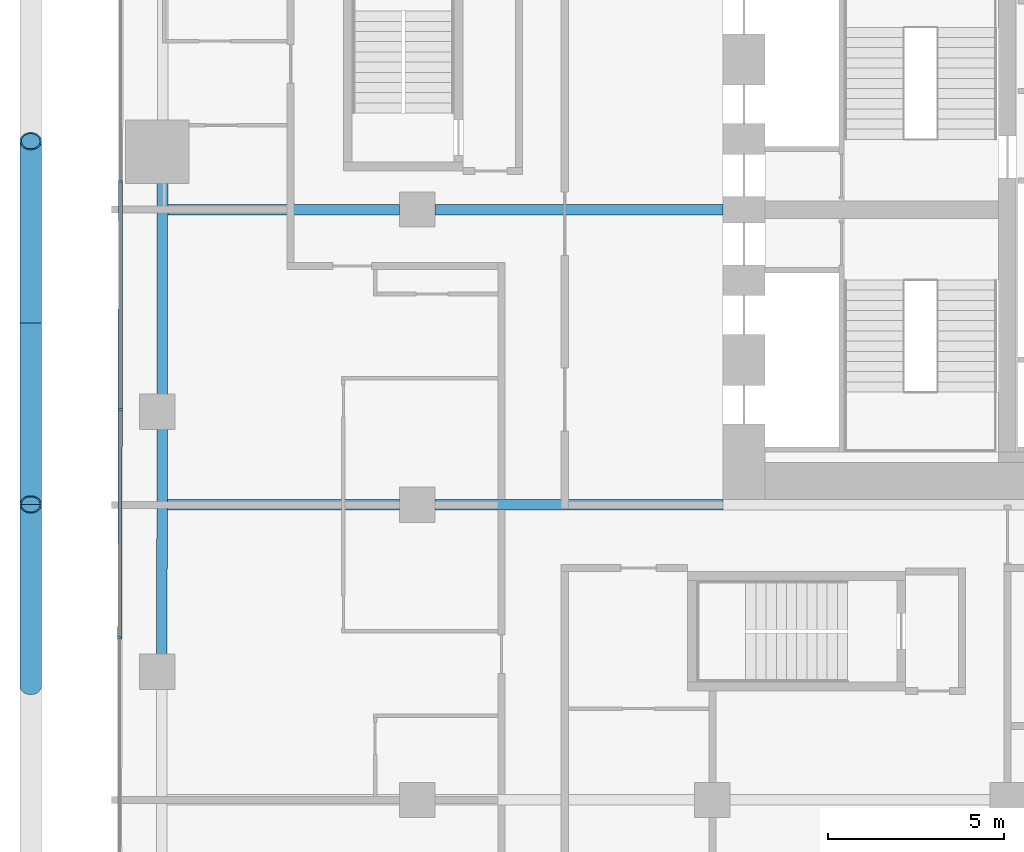
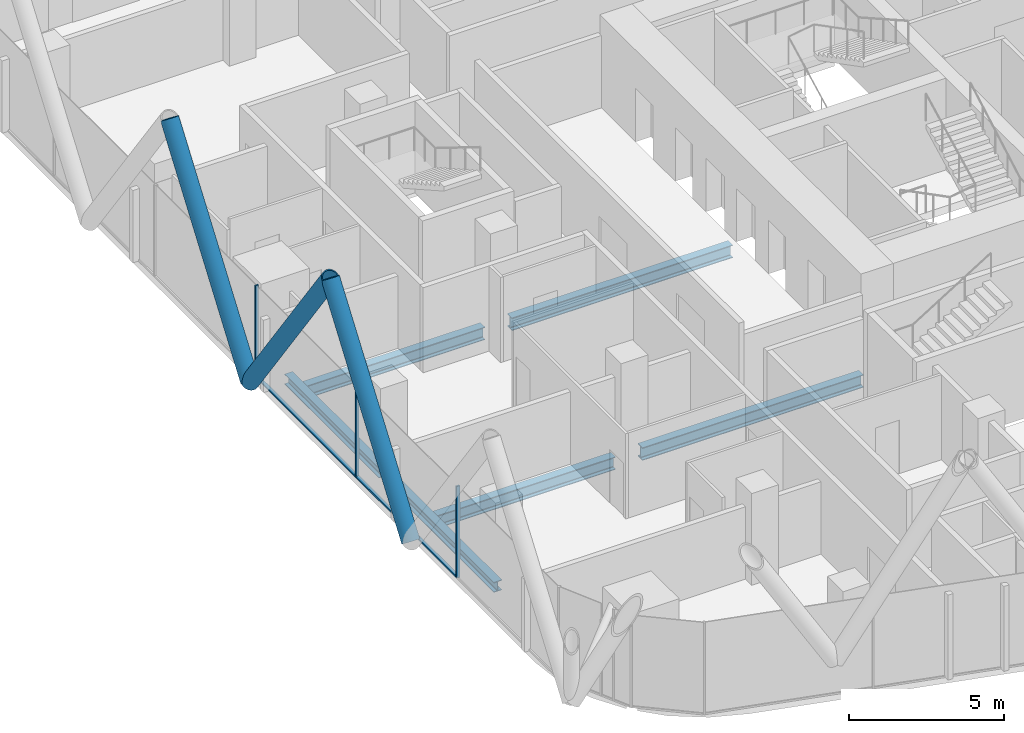
# One storey, part 4 of 34: 8 members, 6 beams, 1 element without a shape of its own.
"""IFC4 building model written with IfcOpenShell, lengths in metres."""

from ifc_helpers import new_model, si_unit, direction, frame, origin, origin_2d, place, context, subcontext, project, spatial, rectangle, hollow_circle, i_section, extrude, material, layer, layer_set, material_profile, profile_set, type_object, element, aggregate, save


model = new_model("IFC4")

# Units and contexts
model_context = context("Model", 3, precision=1e-05, world=origin(), true_north=direction((0.0, 1.0)))
body_context = subcontext(model_context, "Body", "Model", "MODEL_VIEW")
ifc_project = project(units=[si_unit("LENGTHUNIT", "METRE"), si_unit("AREAUNIT", "SQUARE_METRE"), si_unit("VOLUMEUNIT", "CUBIC_METRE"), si_unit("PLANEANGLEUNIT", "RADIAN"), si_unit("MASSUNIT", "GRAM", prefix="KILO")], contexts=[model_context])

# Site, building, storey
site_placement = place(None, origin())
site = spatial("IfcSite", under=ifc_project, at=site_placement, CompositionType="ELEMENT")
building_placement = place(site_placement, origin())
building = spatial("IfcBuilding", under=site, at=building_placement, Name="Marenta Gate Hotel Tower", CompositionType="ELEMENT")
storey_placement = place(building_placement, frame((0.0, 0.0, 47.300048828125)))
storey = spatial("IfcBuildingStorey", under=building, at=storey_placement, Name="L09", CompositionType="ELEMENT", Elevation=47.300048828125)

# Members
ifc_material_1 = material(Name="Steel S355J2W", Category="steel")
ifc_material_profile_1 = material_profile(ifc_material_1, hollow_circle(Radius=0.304931640625, WallThickness=0.0400390625, at=origin_2d()), Name="CHS 610x40")
ifc_profile_set_1 = profile_set([ifc_material_profile_1], Name="Steel S355J2W")
member_type_1 = type_object("IfcMemberType", Name="Diagrid diagonal Z1 CHS 610x40", PredefinedType="BRACE", material=ifc_profile_set_1)
member_1_placement = place(storey_placement, frame((-32.0, -5.16015625, 3.139892578125), z_axis=(0.0, 0.583279014058, 0.812271870595), x_axis=(-1.0, 0.0, 0.0)))
element("IfcMember", 1, at=member_1_placement, inside=storey, type_object=member_type_1, Name="L09-DG-27", PredefinedType="BRACE", context=body_context, shape_type="SweptSolid", body=[
    extrude(hollow_circle(Radius=0.304931640625, WallThickness=0.0400390625, at=origin_2d()), origin(), (0.0, 0.0, 1.0), 8.864013671875),
])
for number, where, z_axis, x_axis, name in (
    (2, (-32.0, 5.179931640625, 3.139892578125), (0.0, -0.583260841117, 0.812284919975), (1.0, 0.0, 0.0), "L09-DG-28"),
    (3, (-32.0, 5.179931640625, 3.139892578125), (0.0, 0.583260841117, 0.812284919975), (-1.0, 0.0, 0.0), "L09-DG-29"),
):
    element("IfcMember", number, at=place(storey_placement, frame(where, z_axis=z_axis, x_axis=x_axis)), inside=storey, type_object=member_type_1, Name=name, PredefinedType="BRACE", context=body_context, shape_type="SweptSolid", body=[
        extrude(hollow_circle(Radius=0.304931640625, WallThickness=0.0400390625, at=origin_2d()), origin(), (0.0, 0.0, 1.0), 8.86376953125),
    ])

# Beams
ifc_material_2 = material(Name="Steel S355", Category="steel")
ifc_material_profile_2 = material_profile(ifc_material_2, i_section(OverallWidth=0.300048828125, OverallDepth=0.39990234375, WebThickness=0.013427734375, FlangeThickness=0.02392578125, FilletRadius=0.027099609375, at=origin_2d()), Name="HEB 400")
ifc_profile_set_2 = profile_set([ifc_material_profile_2], Name="Steel S355")
beam_type_1 = type_object("IfcBeamType", Name="Edge beam HEB 400", PredefinedType="SPANDREL", material=ifc_profile_set_2)
beam_1_placement = place(storey_placement, frame((-28.267333984375, -4.2919921875, -0.4599609375), z_axis=(0.001393753119, 0.999999028726, 0.0), x_axis=(-0.999999028726, 0.001393753119, 0.0)))
element("IfcBeam", 4, at=beam_1_placement, inside=storey, type_object=beam_type_1, Name="L09-EB-6", PredefinedType="SPANDREL", context=body_context, shape_type="SweptSolid", body=[
    extrude(i_section(OverallWidth=0.300048828125, OverallDepth=0.39990234375, WebThickness=0.013427734375, FlangeThickness=0.02392578125, FilletRadius=0.027099609375, at=origin_2d()), origin(), (0.0, 0.0, 1.0), 6.481201171875),
])
beam_2_placement = place(storey_placement, frame((-28.257080078125, 3.109130859375, -0.4599609375), z_axis=(0.001405226059, 0.999999012669, 0.0), x_axis=(-0.999999012669, 0.001405226059, 0.0)))
element("IfcBeam", 5, at=beam_2_placement, inside=storey, type_object=beam_type_1, Name="L09-EB-7", PredefinedType="SPANDREL", context=body_context, shape_type="SweptSolid", body=[
    extrude(i_section(OverallWidth=0.300048828125, OverallDepth=0.39990234375, WebThickness=0.013427734375, FlangeThickness=0.02392578125, FilletRadius=0.027099609375, at=origin_2d()), origin(), (0.0, 0.0, 1.0), 6.080810546875),
])
ifc_material_3 = material(Name="Steel S355", Category="steel")
ifc_material_profile_3 = material_profile(ifc_material_3, i_section(OverallWidth=0.300048828125, OverallDepth=0.5, WebThickness=0.014404296875, FlangeThickness=0.028076171875, FilletRadius=0.027099609375, at=origin_2d()), Name="HEB 500")
ifc_profile_set_3 = profile_set([ifc_material_profile_3], Name="Steel S355")
beam_type_2 = type_object("IfcBeamType", Name="Girder HEB 500", PredefinedType="BEAM", material=ifc_profile_set_3)
beam_3_placement = place(storey_placement, frame((-28.111328125, 0.0, -0.510009765625), z_axis=(1.0, 0.0, 0.0), x_axis=(0.0, 1.0, 0.0)))
element("IfcBeam", 6, at=beam_3_placement, inside=storey, type_object=beam_type_2, Name="L09-GD-8", PredefinedType="BEAM", context=body_context, shape_type="SweptSolid", body=[
    extrude(i_section(OverallWidth=0.300048828125, OverallDepth=0.5, WebThickness=0.014404296875, FlangeThickness=0.028076171875, FilletRadius=0.027099609375, at=origin_2d()), origin(), (0.0, 0.0, 1.0), 6.611328125),
])
beam_4_placement = place(storey_placement, frame((-20.5, 0.0, -0.510009765625), z_axis=(1.0, 0.0, 0.0), x_axis=(0.0, 1.0, 0.0)))
element("IfcBeam", 7, at=beam_4_placement, inside=storey, type_object=beam_type_2, Name="L09-GD-9", PredefinedType="BEAM", context=body_context, shape_type="SweptSolid", body=[
    extrude(i_section(OverallWidth=0.300048828125, OverallDepth=0.5, WebThickness=0.014404296875, FlangeThickness=0.028076171875, FilletRadius=0.027099609375, at=origin_2d()), origin(), (0.0, 0.0, 1.0), 8.199951171875),
])
beam_5_placement = place(storey_placement, frame((-28.099609375, 8.39990234375, -0.510009765625), z_axis=(1.0, 0.0, 0.0), x_axis=(0.0, 1.0, 0.0)))
element("IfcBeam", 8, at=beam_5_placement, inside=storey, type_object=beam_type_2, Name="L09-GD-13", PredefinedType="BEAM", context=body_context, shape_type="SweptSolid", body=[
    extrude(i_section(OverallWidth=0.300048828125, OverallDepth=0.5, WebThickness=0.014404296875, FlangeThickness=0.028076171875, FilletRadius=0.027099609375, at=origin_2d()), origin(), (0.0, 0.0, 1.0), 6.599609375),
])
beam_6_placement = place(storey_placement, frame((-20.5, 8.39990234375, -0.510009765625), z_axis=(1.0, 0.0, 0.0), x_axis=(0.0, 1.0, 0.0)))
element("IfcBeam", 9, at=beam_6_placement, inside=storey, type_object=beam_type_2, Name="L09-GD-14", PredefinedType="BEAM", context=body_context, shape_type="SweptSolid", body=[
    extrude(i_section(OverallWidth=0.300048828125, OverallDepth=0.5, WebThickness=0.014404296875, FlangeThickness=0.028076171875, FilletRadius=0.027099609375, at=origin_2d()), origin(), (0.0, 0.0, 1.0), 8.199951171875),
])

# Curtain wall, members
ifc_material_4 = material(Name="Tinted insulated glass in bronze anodised frame", Category="glass")
ifc_layer = layer(ifc_material_4, 0.1201171875)
ifc_layer_set = layer_set([ifc_layer], Name="Tinted insulated glass in bronze anodised frame")
curtain_wall_type = type_object("IfcCurtainWallType", Name="Tower unitised curtain wall CW1", PredefinedType="NOTDEFINED", material=ifc_layer_set)
curtain_wall_placement = place(storey_placement, origin())
curtain_wall = element("IfcCurtainWall", 10, at=curtain_wall_placement, inside=storey, type_object=curtain_wall_type, Name="CW1 run G04", PredefinedType="NOTDEFINED")
ifc_material_5 = material(Name="Bronze anodised aluminium", Category="aluminium")
ifc_material_profile_4 = material_profile(ifc_material_5, rectangle(XDim=0.1201171875, YDim=0.06005859375, at=origin_2d()), Name="Mullion CW1 60x120 bronze anodised aluminium")
ifc_profile_set_4 = profile_set([ifc_material_profile_4], Name="Bronze anodised aluminium")
member_type_2 = type_object("IfcMemberType", Name="Mullion CW1 60x120 bronze anodised aluminium", PredefinedType="MULLION", material=ifc_profile_set_4)
member_2_placement = place(storey_placement, frame((-29.44287109375, 9.195068359375, 0.0), z_axis=(0.0, 0.0, 1.0), x_axis=(0.99999877316, -0.00156642217, 0.0)))
member_2 = element("IfcMember", 11, at=member_2_placement, type_object=member_type_2, Name="CW1 mullion 4", PredefinedType="MULLION", context=body_context, shape_type="SweptSolid", body=[
    extrude(rectangle(XDim=0.1201171875, YDim=0.06005859375, at=origin_2d()), origin(), (0.0, 0.0, 1.0), 3.599853515625),
])
member_3_placement = place(storey_placement, frame((-29.452880859375, 2.704833984375, 0.0), z_axis=(0.0, 0.0, 1.0), x_axis=(0.99999877316, -0.00156642217, 0.0)))
member_3 = element("IfcMember", 12, at=member_3_placement, type_object=member_type_2, Name="CW1 mullion 5", PredefinedType="MULLION", context=body_context, shape_type="SweptSolid", body=[
    extrude(rectangle(XDim=0.1201171875, YDim=0.06005859375, at=origin_2d()), origin(), (0.0, 0.0, 1.0), 3.599853515625),
])
member_4_placement = place(storey_placement, frame((-29.463134765625, -3.78564453125, 0.0), z_axis=(0.0, 0.0, 1.0), x_axis=(0.99999877316, -0.00156642217, 0.0)))
member_4 = element("IfcMember", 13, at=member_4_placement, type_object=member_type_2, Name="CW1 mullion 6", PredefinedType="MULLION", context=body_context, shape_type="SweptSolid", body=[
    extrude(rectangle(XDim=0.1201171875, YDim=0.06005859375, at=origin_2d()), origin(), (0.0, 0.0, 1.0), 3.599853515625),
])
ifc_material_6 = material(Name="Bronze anodised aluminium", Category="aluminium")
ifc_material_profile_5 = material_profile(ifc_material_6, rectangle(XDim=0.1201171875, YDim=0.06005859375, at=origin_2d()), Name="Transom CW1 60x120 bronze anodised aluminium")
ifc_profile_set_5 = profile_set([ifc_material_profile_5], Name="Bronze anodised aluminium")
member_type_3 = type_object("IfcMemberType", Name="Transom CW1 60x120 bronze anodised aluminium", PredefinedType="USERDEFINED", material=ifc_profile_set_5)
member_5_placement = place(storey_placement, frame((-29.44287109375, 9.1650390625, 0.030029296875), z_axis=(-0.001556625169, -0.999998788458, 0.0), x_axis=(0.999998788458, -0.001556625169, 0.0)))
member_5 = element("IfcMember", 14, at=member_5_placement, type_object=member_type_3, Name="CW1 transom 4.1", ObjectType="TRANSOM", PredefinedType="USERDEFINED", context=body_context, shape_type="SweptSolid", body=[
    extrude(rectangle(XDim=0.1201171875, YDim=0.06005859375, at=origin_2d()), origin(), (0.0, 0.0, 1.0), 6.430419921875),
])
member_6_placement = place(storey_placement, frame((-29.453125, 2.6748046875, 0.030029296875), z_axis=(-0.001556625169, -0.999998788458, 0.0), x_axis=(0.999998788458, -0.001556625169, 0.0)))
member_6 = element("IfcMember", 15, at=member_6_placement, type_object=member_type_3, Name="CW1 transom 5.1", ObjectType="TRANSOM", PredefinedType="USERDEFINED", context=body_context, shape_type="SweptSolid", body=[
    extrude(rectangle(XDim=0.1201171875, YDim=0.06005859375, at=origin_2d()), origin(), (0.0, 0.0, 1.0), 6.430419921875),
])
aggregate(curtain_wall, [member_2, member_3, member_4, member_5, member_6])

save(model, "model.ifc")
